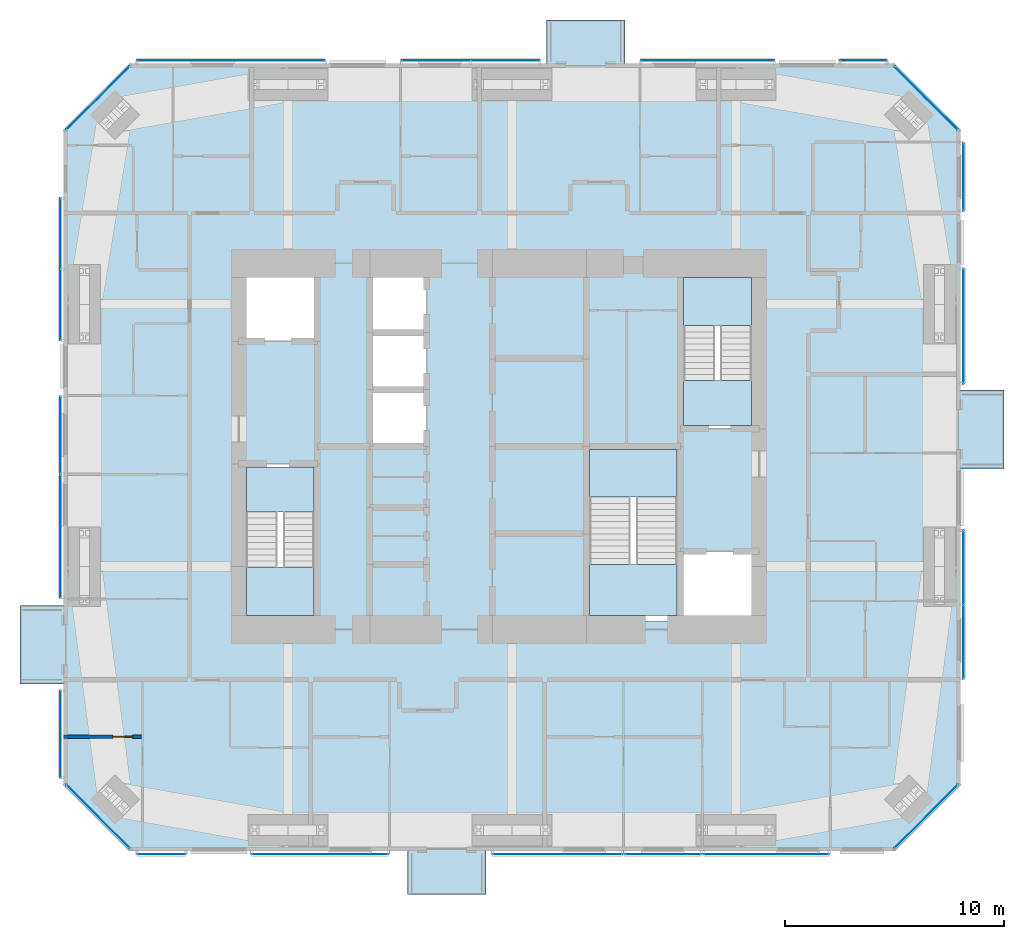
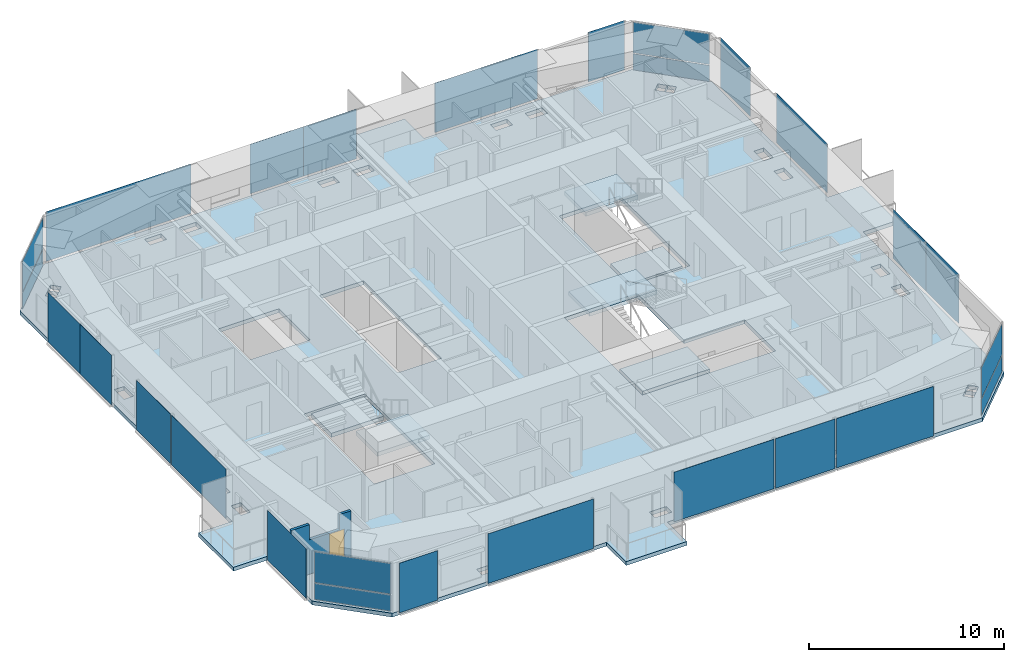
# One storey, part 15 of 23: 27 plates, 7 slabs, 1 door, 1 wall, 1 opening, 23 elements without a shape of their own.
"""IFC4 building model written with IfcOpenShell, lengths in metres."""

from ifc_helpers import new_model, si_unit, direction, frame, frame_2d, origin, origin_2d, place, context, subcontext, project, spatial, polyline, rectangle, outline, extrude, material, layer, layer_set, constituent, constituent_set, type_object, element, fill, aggregate, save


model = new_model("IFC4")

# Units and contexts
model_context = context("Model", 3, precision=1e-05, world=origin(), true_north=direction((0.0, 1.0)))
body_context = subcontext(model_context, "Body", "Model", "MODEL_VIEW")
ifc_project = project(units=[si_unit("LENGTHUNIT", "METRE"), si_unit("AREAUNIT", "SQUARE_METRE"), si_unit("VOLUMEUNIT", "CUBIC_METRE"), si_unit("PLANEANGLEUNIT", "RADIAN"), si_unit("MASSUNIT", "GRAM", prefix="KILO")], contexts=[model_context])

# Site, building, storey
site_placement = place(None, origin())
site = spatial("IfcSite", under=ifc_project, at=site_placement, CompositionType="ELEMENT")
building_placement = place(site_placement, origin())
building = spatial("IfcBuilding", under=site, at=building_placement, Name="Jalousie Tower", CompositionType="ELEMENT")
storey_placement = place(building_placement, frame((0.0, 0.0, 191.199951171875)))
storey = spatial("IfcBuildingStorey", under=building, at=storey_placement, Name="L52", CompositionType="ELEMENT", Elevation=191.199951171875)

# Curtain wall, plates
ifc_material_1 = material(Name="Aluminium curtain wall", Category="aluminium")
curtain_wall_type_1 = type_object("IfcCurtainWallType", Name="CORNER WINDOW WALL", PredefinedType="USERDEFINED", material=ifc_material_1)
curtain_wall_1_placement = place(storey_placement, origin())
curtain_wall_1 = element("IfcCurtainWall", 1, at=curtain_wall_1_placement, inside=storey, type_object=curtain_wall_type_1, Name="Corner Window Wall L52 2", ObjectType="CORNER WINDOW WALL", PredefinedType="USERDEFINED")
ifc_material_2 = material(Name="Laminated impact-rated spandrel glass", Category="glass")
ifc_layer_1 = layer(ifc_material_2, 0.028076171875)
ifc_layer_set_1 = layer_set([ifc_layer_1], Name="Laminated impact-rated spandrel glass")
plate_type_1 = type_object("IfcPlateType", Name="CORNER WINDOW WALL PANEL", PredefinedType="CURTAIN_PANEL", material=ifc_layer_set_1)
plate_1_placement = place(storey_placement, frame((51.4306640625, 1.5693359375, 0.06005859375), z_axis=(0.0, 0.0, 1.0), x_axis=(0.707106781187, 0.707106781187, 0.0)))
plate_1 = element("IfcPlate", 2, at=plate_1_placement, type_object=plate_type_1, Name="CW-C panel 1.1", PredefinedType="CURTAIN_PANEL", context=body_context, shape_type="SweptSolid", body=[
    extrude(rectangle(XDim=4.071533203125, YDim=0.028076171875, at=origin_2d()), origin(), (0.0, 0.0, 1.0), 1.010009765625),
])
plate_2_placement = place(storey_placement, frame((51.4306640625, 1.5693359375, 1.130126953125), z_axis=(0.0, 0.0, 1.0), x_axis=(0.707106781187, 0.707106781187, 0.0)))
plate_2 = element("IfcPlate", 3, at=plate_2_placement, type_object=plate_type_1, Name="CW-C panel 1.2", PredefinedType="CURTAIN_PANEL", context=body_context, shape_type="SweptSolid", body=[
    extrude(rectangle(XDim=4.071533203125, YDim=0.028076171875, at=origin_2d()), origin(), (0.0, 0.0, 1.0), 1.919921875),
])
aggregate(curtain_wall_1, [plate_1, plate_2])

curtain_wall_2_placement = place(storey_placement, origin())
curtain_wall_2 = element("IfcCurtainWall", 4, at=curtain_wall_2_placement, inside=storey, type_object=curtain_wall_type_1, Name="Corner Window Wall L52 4", ObjectType="CORNER WINDOW WALL", PredefinedType="USERDEFINED")
plate_3_placement = place(storey_placement, frame((51.4306640625, 34.4306640625, 0.06005859375), z_axis=(0.0, 0.0, 1.0), x_axis=(-0.707106781187, 0.707106781187, 0.0)))
plate_3 = element("IfcPlate", 5, at=plate_3_placement, type_object=plate_type_1, Name="CW-C panel 1.1", PredefinedType="CURTAIN_PANEL", context=body_context, shape_type="SweptSolid", body=[
    extrude(rectangle(XDim=4.071533203125, YDim=0.028076171875, at=origin_2d()), origin(), (0.0, 0.0, 1.0), 1.010009765625),
])
plate_4_placement = place(storey_placement, frame((51.4306640625, 34.4306640625, 1.130126953125), z_axis=(0.0, 0.0, 1.0), x_axis=(-0.707106781187, 0.707106781187, 0.0)))
plate_4 = element("IfcPlate", 6, at=plate_4_placement, type_object=plate_type_1, Name="CW-C panel 1.2", PredefinedType="CURTAIN_PANEL", context=body_context, shape_type="SweptSolid", body=[
    extrude(rectangle(XDim=4.071533203125, YDim=0.028076171875, at=origin_2d()), origin(), (0.0, 0.0, 1.0), 1.919921875),
])
aggregate(curtain_wall_2, [plate_3, plate_4])

curtain_wall_3_placement = place(storey_placement, origin())
curtain_wall_3 = element("IfcCurtainWall", 7, at=curtain_wall_3_placement, inside=storey, type_object=curtain_wall_type_1, Name="Corner Window Wall L52 6", ObjectType="CORNER WINDOW WALL", PredefinedType="USERDEFINED")
plate_5_placement = place(storey_placement, frame((13.5693359375, 34.4306640625, 0.06005859375), z_axis=(0.0, 0.0, 1.0), x_axis=(-0.707106781187, -0.707106781187, 0.0)))
plate_5 = element("IfcPlate", 8, at=plate_5_placement, type_object=plate_type_1, Name="CW-C panel 1.1", PredefinedType="CURTAIN_PANEL", context=body_context, shape_type="SweptSolid", body=[
    extrude(rectangle(XDim=4.071533203125, YDim=0.028076171875, at=origin_2d()), origin(), (0.0, 0.0, 1.0), 1.010009765625),
])
plate_6_placement = place(storey_placement, frame((13.5693359375, 34.4306640625, 1.130126953125), z_axis=(0.0, 0.0, 1.0), x_axis=(-0.707106781187, -0.707106781187, 0.0)))
plate_6 = element("IfcPlate", 9, at=plate_6_placement, type_object=plate_type_1, Name="CW-C panel 1.2", PredefinedType="CURTAIN_PANEL", context=body_context, shape_type="SweptSolid", body=[
    extrude(rectangle(XDim=4.071533203125, YDim=0.028076171875, at=origin_2d()), origin(), (0.0, 0.0, 1.0), 1.919921875),
])
aggregate(curtain_wall_3, [plate_5, plate_6])

curtain_wall_4_placement = place(storey_placement, origin())
curtain_wall_4 = element("IfcCurtainWall", 10, at=curtain_wall_4_placement, inside=storey, type_object=curtain_wall_type_1, Name="Corner Window Wall L52 8", ObjectType="CORNER WINDOW WALL", PredefinedType="USERDEFINED")
plate_7_placement = place(storey_placement, frame((13.5693359375, 1.5693359375, 0.06005859375), z_axis=(0.0, 0.0, 1.0), x_axis=(0.707106781187, -0.707106781187, 0.0)))
plate_7 = element("IfcPlate", 11, at=plate_7_placement, type_object=plate_type_1, Name="CW-C panel 1.1", PredefinedType="CURTAIN_PANEL", context=body_context, shape_type="SweptSolid", body=[
    extrude(rectangle(XDim=4.071533203125, YDim=0.028076171875, at=origin_2d()), origin(), (0.0, 0.0, 1.0), 1.010009765625),
])
plate_8_placement = place(storey_placement, frame((13.5693359375, 1.5693359375, 1.130126953125), z_axis=(0.0, 0.0, 1.0), x_axis=(0.707106781187, -0.707106781187, 0.0)))
plate_8 = element("IfcPlate", 12, at=plate_8_placement, type_object=plate_type_1, Name="CW-C panel 1.2", PredefinedType="CURTAIN_PANEL", context=body_context, shape_type="SweptSolid", body=[
    extrude(rectangle(XDim=4.071533203125, YDim=0.028076171875, at=origin_2d()), origin(), (0.0, 0.0, 1.0), 1.919921875),
])
aggregate(curtain_wall_4, [plate_7, plate_8])

# Slab
ifc_material_3 = material(Name="Concrete f'c 40 MPa", Category="concrete")
ifc_layer_2 = layer(ifc_material_3, 0.239990234375)
ifc_layer_set_2 = layer_set([ifc_layer_2], Name="Concrete f'c 40 MPa")
slab_type_1 = type_object("IfcSlabType", Name="FLOOR SLAB 240", PredefinedType="FLOOR", material=ifc_layer_set_2)
slab_1_placement = place(storey_placement, frame((0.0, 0.0, -0.239990234375)))
element("IfcSlab", 13, at=slab_1_placement, inside=storey, type_object=slab_type_1, Name="L52 floor slab", PredefinedType="FLOOR", context=body_context, shape_type="SweptSolid", body=[
    extrude(outline(polyline([(34.074951171875, 36.0), (34.074951171875, 38.0), (37.675048828125, 38.0), (37.675048828125, 36.0), (50.0, 36.0), (53.0, 33.0), (53.0, 21.074951171875), (55.0, 21.074951171875), (55.0, 17.47509765625), (53.0, 17.47509765625), (53.0, 3.0), (50.0, 0.0), (31.3125, 0.0), (31.3125, -2.0), (27.71240234375, -2.0), (27.71240234375, 0.0), (15.0, 0.0), (12.0, 3.0), (12.0, 7.625), (10.0, 7.625), (10.0, 11.22509765625), (12.0, 11.22509765625), (12.0, 33.0), (15.0, 36.0), (34.074951171875, 36.0)]), holes=[polyline([(52.336181640625, 25.54150390625), (52.336181640625, 26.52490234375), (51.763916015625, 26.52490234375), (51.763916015625, 25.54150390625), (52.336181640625, 25.54150390625)]), polyline([(51.763916015625, 23.47509765625), (52.336181640625, 23.47509765625), (52.336181640625, 24.45849609375), (51.763916015625, 24.45849609375), (51.763916015625, 23.47509765625)]), polyline([(51.763916015625, 13.54150390625), (52.336181640625, 13.54150390625), (52.336181640625, 14.52490234375), (51.763916015625, 14.52490234375), (51.763916015625, 13.54150390625)]), polyline([(51.763916015625, 11.47509765625), (52.336181640625, 11.47509765625), (52.336181640625, 12.45849609375), (51.763916015625, 12.45849609375), (51.763916015625, 11.47509765625)]), polyline([(50.856689453125, 33.851318359375), (50.451904296875, 33.446533203125), (50.802490234375, 33.095703125), (51.20751953125, 33.500244140625), (50.856689453125, 33.851318359375)]), polyline([(50.802490234375, 2.904296875), (50.451904296875, 2.553466796875), (50.856689453125, 2.148681640625), (51.20751953125, 2.499755859375), (50.802490234375, 2.904296875)]), polyline([(50.446533203125, 33.451904296875), (50.851318359375, 33.856689453125), (50.500244140625, 34.20751953125), (50.095703125, 33.802490234375), (50.446533203125, 33.451904296875)]), polyline([(50.095703125, 2.197509765625), (50.500244140625, 1.79248046875), (50.851318359375, 2.143310546875), (50.446533203125, 2.548095703125), (50.095703125, 2.197509765625)]), polyline([(44.27490234375, 35.336181640625), (43.29150390625, 35.336181640625), (43.29150390625, 34.763916015625), (44.27490234375, 34.763916015625), (44.27490234375, 35.336181640625)]), polyline([(44.27490234375, 1.236083984375), (43.29150390625, 1.236083984375), (43.29150390625, 0.663818359375), (44.27490234375, 0.663818359375), (44.27490234375, 1.236083984375)]), polyline([(40.199951171875, 19.300048828125), (43.800048828125, 19.300048828125), (43.800048828125, 26.5), (40.199951171875, 26.5), (40.199951171875, 19.300048828125)]), polyline([(35.89990234375, 18.5), (35.89990234375, 10.5), (43.800048828125, 10.5), (43.800048828125, 13.699951171875), (40.199951171875, 13.699951171875), (40.199951171875, 18.5), (35.89990234375, 18.5)]), polyline([(42.20849609375, 34.763916015625), (42.20849609375, 35.336181640625), (41.22509765625, 35.336181640625), (41.22509765625, 34.763916015625), (42.20849609375, 34.763916015625)]), polyline([(41.22509765625, 0.663818359375), (42.20849609375, 0.663818359375), (42.20849609375, 1.236083984375), (41.22509765625, 1.236083984375), (41.22509765625, 0.663818359375)]), polyline([(33.04150390625, 35.336181640625), (33.04150390625, 34.763916015625), (34.02490234375, 34.763916015625), (34.02490234375, 35.336181640625), (33.04150390625, 35.336181640625)]), polyline([(33.04150390625, 1.236083984375), (33.04150390625, 0.663818359375), (34.02490234375, 0.663818359375), (34.02490234375, 1.236083984375), (33.04150390625, 1.236083984375)]), polyline([(31.95849609375, 34.763916015625), (31.95849609375, 35.336181640625), (30.97509765625, 35.336181640625), (30.97509765625, 34.763916015625), (31.95849609375, 34.763916015625)]), polyline([(31.95849609375, 0.663818359375), (31.95849609375, 1.236083984375), (30.97509765625, 1.236083984375), (30.97509765625, 0.663818359375), (31.95849609375, 0.663818359375)]), polyline([(28.60009765625, 18.5), (28.60009765625, 26.5), (26.0, 26.5), (26.0, 18.5), (28.60009765625, 18.5)]), polyline([(22.79150390625, 1.236083984375), (22.79150390625, 0.663818359375), (23.77490234375, 0.663818359375), (23.77490234375, 1.236083984375), (22.79150390625, 1.236083984375)]), polyline([(23.77490234375, 34.763916015625), (23.77490234375, 35.336181640625), (22.79150390625, 35.336181640625), (22.79150390625, 34.763916015625), (23.77490234375, 34.763916015625)]), polyline([(20.0, 23.300048828125), (23.60009765625, 23.300048828125), (23.60009765625, 26.5), (20.0, 26.5), (20.0, 23.300048828125)]), polyline([(20.0, 10.5), (23.60009765625, 10.5), (23.60009765625, 17.699951171875), (20.0, 17.699951171875), (20.0, 10.5)]), polyline([(20.72509765625, 35.336181640625), (20.72509765625, 34.763916015625), (21.70849609375, 34.763916015625), (21.70849609375, 35.336181640625), (20.72509765625, 35.336181640625)]), polyline([(20.72509765625, 1.236083984375), (20.72509765625, 0.663818359375), (21.70849609375, 0.663818359375), (21.70849609375, 1.236083984375), (20.72509765625, 1.236083984375)]), polyline([(14.553466796875, 2.548095703125), (14.148681640625, 2.143310546875), (14.499755859375, 1.79248046875), (14.904296875, 2.197509765625), (14.553466796875, 2.548095703125)]), polyline([(14.148681640625, 33.856689453125), (14.553466796875, 33.451904296875), (14.904296875, 33.802490234375), (14.499755859375, 34.20751953125), (14.148681640625, 33.856689453125)]), polyline([(14.143310546875, 33.851318359375), (13.79248046875, 33.500244140625), (14.197509765625, 33.095703125), (14.548095703125, 33.446533203125), (14.143310546875, 33.851318359375)]), polyline([(14.548095703125, 2.553466796875), (14.197509765625, 2.904296875), (13.79248046875, 2.499755859375), (14.143310546875, 2.148681640625), (14.548095703125, 2.553466796875)]), polyline([(12.663818359375, 11.47509765625), (13.236083984375, 11.47509765625), (13.236083984375, 12.45849609375), (12.663818359375, 12.45849609375), (12.663818359375, 11.47509765625)]), polyline([(13.236083984375, 24.45849609375), (12.663818359375, 24.45849609375), (12.663818359375, 23.47509765625), (13.236083984375, 23.47509765625), (13.236083984375, 24.45849609375)]), polyline([(12.663818359375, 25.54150390625), (13.236083984375, 25.54150390625), (13.236083984375, 26.52490234375), (12.663818359375, 26.52490234375), (12.663818359375, 25.54150390625)]), polyline([(13.236083984375, 13.54150390625), (13.236083984375, 14.52490234375), (12.663818359375, 14.52490234375), (12.663818359375, 13.54150390625), (13.236083984375, 13.54150390625)])]), origin(), (0.0, 0.0, 1.0), 0.239990234375),
])

# Curtain wall, plate
ifc_material_4 = material(Name="Perforated aluminium sheet", Category="aluminium")
curtain_wall_type_2 = type_object("IfcCurtainWallType", Name="SOLAR SCREEN SS-1", PredefinedType="USERDEFINED", material=ifc_material_4)
curtain_wall_5_placement = place(storey_placement, origin())
curtain_wall_5 = element("IfcCurtainWall", 14, at=curtain_wall_5_placement, inside=storey, type_object=curtain_wall_type_2, Name="Solar screen L52", ObjectType="SOLAR SCREEN SS-1", PredefinedType="USERDEFINED")
ifc_material_5 = material(Name="Perforated aluminium sheet", Category="aluminium")
ifc_layer_3 = layer(ifc_material_5, 0.006103515625)
ifc_layer_set_3 = layer_set([ifc_layer_3], Name="Perforated aluminium sheet")
plate_type_2 = type_object("IfcPlateType", Name="SOLAR SCREEN SS-1 PANEL", PredefinedType="CURTAIN_PANEL", material=ifc_layer_set_3)
plate_9_placement = place(storey_placement, frame((16.47119140625, -0.150390625, 0.0), z_axis=(0.0, 0.0, 1.0), x_axis=(1.0, 0.0, 0.0)))
plate_9 = element("IfcPlate", 15, at=plate_9_placement, type_object=plate_type_2, Name="SS1 perforated panel 1", PredefinedType="CURTAIN_PANEL", context=body_context, shape_type="SweptSolid", body=[
    extrude(rectangle(XDim=2.239990234375, YDim=0.006103515625, at=origin_2d()), origin(), (0.0, 0.0, 1.0), 3.110107421875),
])
aggregate(curtain_wall_5, [plate_9])

curtain_wall_6_placement = place(storey_placement, origin())
curtain_wall_6 = element("IfcCurtainWall", 16, at=curtain_wall_6_placement, inside=storey, type_object=curtain_wall_type_2, Name="Solar screen L52", ObjectType="SOLAR SCREEN SS-1", PredefinedType="USERDEFINED")
plate_10_placement = place(storey_placement, frame((23.720703125, -0.150390625, 0.0), z_axis=(0.0, 0.0, 1.0), x_axis=(1.0, 0.0, 0.0)))
plate_10 = element("IfcPlate", 17, at=plate_10_placement, type_object=plate_type_2, Name="SS1 perforated panel 1", PredefinedType="CURTAIN_PANEL", context=body_context, shape_type="SweptSolid", body=[
    extrude(rectangle(XDim=6.2587890625, YDim=0.006103515625, at=origin_2d()), origin(), (0.0, 0.0, 1.0), 3.110107421875),
])
aggregate(curtain_wall_6, [plate_10])

curtain_wall_7_placement = place(storey_placement, origin())
curtain_wall_7 = element("IfcCurtainWall", 18, at=curtain_wall_7_placement, inside=storey, type_object=curtain_wall_type_2, Name="Solar screen L52", ObjectType="SOLAR SCREEN SS-1", PredefinedType="USERDEFINED")
plate_11_placement = place(storey_placement, frame((34.581298828125, -0.150390625, 0.0), z_axis=(0.0, 0.0, 1.0), x_axis=(1.0, 0.0, 0.0)))
plate_11 = element("IfcPlate", 19, at=plate_11_placement, type_object=plate_type_2, Name="SS1 perforated panel 1", PredefinedType="CURTAIN_PANEL", context=body_context, shape_type="SweptSolid", body=[
    extrude(rectangle(XDim=5.9375, YDim=0.006103515625, at=origin_2d()), origin(), (0.0, 0.0, 1.0), 3.110107421875),
])
aggregate(curtain_wall_7, [plate_11])

curtain_wall_8_placement = place(storey_placement, origin())
curtain_wall_8 = element("IfcCurtainWall", 20, at=curtain_wall_8_placement, inside=storey, type_object=curtain_wall_type_2, Name="Solar screen L52", ObjectType="SOLAR SCREEN SS-1", PredefinedType="USERDEFINED")
plate_12_placement = place(storey_placement, frame((39.39990234375, -0.150390625, 0.0), z_axis=(0.0, 0.0, 1.0), x_axis=(1.0, 0.0, 0.0)))
plate_12 = element("IfcPlate", 21, at=plate_12_placement, type_object=plate_type_2, Name="SS1 perforated panel 1", PredefinedType="CURTAIN_PANEL", context=body_context, shape_type="SweptSolid", body=[
    extrude(rectangle(XDim=3.5, YDim=0.006103515625, at=origin_2d()), origin(), (0.0, 0.0, 1.0), 3.110107421875),
])
aggregate(curtain_wall_8, [plate_12])

curtain_wall_9_placement = place(storey_placement, origin())
curtain_wall_9 = element("IfcCurtainWall", 22, at=curtain_wall_9_placement, inside=storey, type_object=curtain_wall_type_2, Name="Solar screen L52", ObjectType="SOLAR SCREEN SS-1", PredefinedType="USERDEFINED")
plate_13_placement = place(storey_placement, frame((44.125, -0.150390625, 0.0), z_axis=(0.0, 0.0, 1.0), x_axis=(1.0, 0.0, 0.0)))
plate_13 = element("IfcPlate", 23, at=plate_13_placement, type_object=plate_type_2, Name="SS1 perforated panel 1", PredefinedType="CURTAIN_PANEL", context=body_context, shape_type="SweptSolid", body=[
    extrude(rectangle(XDim=5.75, YDim=0.006103515625, at=origin_2d()), origin(), (0.0, 0.0, 1.0), 3.110107421875),
])
aggregate(curtain_wall_9, [plate_13])

# Curtain wall, plates
curtain_wall_10_placement = place(storey_placement, origin())
curtain_wall_10 = element("IfcCurtainWall", 24, at=curtain_wall_10_placement, inside=storey, type_object=curtain_wall_type_2, Name="Solar screen L52", ObjectType="SOLAR SCREEN SS-1", PredefinedType="USERDEFINED")
plate_14_placement = place(storey_placement, frame((53.150390625, 9.569580078125, 0.0), z_axis=(0.0, 0.0, 1.0), x_axis=(0.0, 1.0, 0.0)))
plate_14 = element("IfcPlate", 25, at=plate_14_placement, type_object=plate_type_2, Name="SS1 perforated panel 1", PredefinedType="CURTAIN_PANEL", context=body_context, shape_type="SweptSolid", body=[
    extrude(rectangle(XDim=3.38916015625, YDim=0.006103515625, at=origin_2d()), origin(), (0.0, 0.0, 1.0), 3.110107421875),
])
plate_15_placement = place(storey_placement, frame((53.150390625, 12.958740234375, 0.0), z_axis=(0.0, 0.0, 1.0), x_axis=(0.0, 1.0, 0.0)))
plate_15 = element("IfcPlate", 26, at=plate_15_placement, type_object=plate_type_2, Name="SS1 perforated panel 2", PredefinedType="CURTAIN_PANEL", context=body_context, shape_type="SweptSolid", body=[
    extrude(rectangle(XDim=3.38916015625, YDim=0.006103515625, at=origin_2d()), origin(), (0.0, 0.0, 1.0), 3.110107421875),
])
aggregate(curtain_wall_10, [plate_14, plate_15])

# Curtain wall, plate
curtain_wall_11_placement = place(storey_placement, origin())
curtain_wall_11 = element("IfcCurtainWall", 27, at=curtain_wall_11_placement, inside=storey, type_object=curtain_wall_type_2, Name="Solar screen L52", ObjectType="SOLAR SCREEN SS-1", PredefinedType="USERDEFINED")
plate_16_placement = place(storey_placement, frame((53.150390625, 24.0, 0.0), z_axis=(0.0, 0.0, 1.0), x_axis=(0.0, 1.0, 0.0)))
plate_16 = element("IfcPlate", 28, at=plate_16_placement, type_object=plate_type_2, Name="SS1 perforated panel 1", PredefinedType="CURTAIN_PANEL", context=body_context, shape_type="SweptSolid", body=[
    extrude(rectangle(XDim=5.25, YDim=0.006103515625, at=origin_2d()), origin(), (0.0, 0.0, 1.0), 3.110107421875),
])
aggregate(curtain_wall_11, [plate_16])

curtain_wall_12_placement = place(storey_placement, origin())
curtain_wall_12 = element("IfcCurtainWall", 29, at=curtain_wall_12_placement, inside=storey, type_object=curtain_wall_type_2, Name="Solar screen L52", ObjectType="SOLAR SCREEN SS-1", PredefinedType="USERDEFINED")
plate_17_placement = place(storey_placement, frame((53.150390625, 30.822509765625, 0.0), z_axis=(0.0, 0.0, 1.0), x_axis=(0.0, 1.0, 0.0)))
plate_17 = element("IfcPlate", 30, at=plate_17_placement, type_object=plate_type_2, Name="SS1 perforated panel 1", PredefinedType="CURTAIN_PANEL", context=body_context, shape_type="SweptSolid", body=[
    extrude(rectangle(XDim=3.09521484375, YDim=0.006103515625, at=origin_2d()), origin(), (0.0, 0.0, 1.0), 3.110107421875),
])
aggregate(curtain_wall_12, [plate_17])

curtain_wall_13_placement = place(storey_placement, origin())
curtain_wall_13 = element("IfcCurtainWall", 31, at=curtain_wall_13_placement, inside=storey, type_object=curtain_wall_type_2, Name="Solar screen L52", ObjectType="SOLAR SCREEN SS-1", PredefinedType="USERDEFINED")
plate_18_placement = place(storey_placement, frame((48.573974609375, 36.150390625, 0.0), z_axis=(0.0, 0.0, 1.0), x_axis=(-1.0, 0.0, 0.0)))
plate_18 = element("IfcPlate", 32, at=plate_18_placement, type_object=plate_type_2, Name="SS1 perforated panel 1", PredefinedType="CURTAIN_PANEL", context=body_context, shape_type="SweptSolid", body=[
    extrude(rectangle(XDim=2.1494140625, YDim=0.006103515625, at=origin_2d()), origin(), (0.0, 0.0, 1.0), 3.110107421875),
])
aggregate(curtain_wall_13, [plate_18])

curtain_wall_14_placement = place(storey_placement, origin())
curtain_wall_14 = element("IfcCurtainWall", 33, at=curtain_wall_14_placement, inside=storey, type_object=curtain_wall_type_2, Name="Solar screen L52", ObjectType="SOLAR SCREEN SS-1", PredefinedType="USERDEFINED")
plate_19_placement = place(storey_placement, frame((41.44970703125, 36.150390625, 0.0), z_axis=(0.0, 0.0, 1.0), x_axis=(-1.0, 0.0, 0.0)))
plate_19 = element("IfcPlate", 34, at=plate_19_placement, type_object=plate_type_2, Name="SS1 perforated panel 1", PredefinedType="CURTAIN_PANEL", context=body_context, shape_type="SweptSolid", body=[
    extrude(rectangle(XDim=6.099365234375, YDim=0.006103515625, at=origin_2d()), origin(), (0.0, 0.0, 1.0), 3.110107421875),
])
aggregate(curtain_wall_14, [plate_19])

# Curtain wall, plates
curtain_wall_15_placement = place(storey_placement, origin())
curtain_wall_15 = element("IfcCurtainWall", 35, at=curtain_wall_15_placement, inside=storey, type_object=curtain_wall_type_2, Name="Solar screen L52", ObjectType="SOLAR SCREEN SS-1", PredefinedType="USERDEFINED")
plate_20_placement = place(storey_placement, frame((32.19384765625, 36.150390625, 0.0), z_axis=(0.0, 0.0, 1.0), x_axis=(-1.0, 0.0, 0.0)))
plate_20 = element("IfcPlate", 36, at=plate_20_placement, type_object=plate_type_2, Name="SS1 perforated panel 1", PredefinedType="CURTAIN_PANEL", context=body_context, shape_type="SweptSolid", body=[
    extrude(rectangle(XDim=3.16259765625, YDim=0.006103515625, at=origin_2d()), origin(), (0.0, 0.0, 1.0), 3.110107421875),
])
plate_21_placement = place(storey_placement, frame((29.03125, 36.150390625, 0.0), z_axis=(0.0, 0.0, 1.0), x_axis=(-1.0, 0.0, 0.0)))
plate_21 = element("IfcPlate", 37, at=plate_21_placement, type_object=plate_type_2, Name="SS1 perforated panel 2", PredefinedType="CURTAIN_PANEL", context=body_context, shape_type="SweptSolid", body=[
    extrude(rectangle(XDim=3.16259765625, YDim=0.006103515625, at=origin_2d()), origin(), (0.0, 0.0, 1.0), 3.110107421875),
])
aggregate(curtain_wall_15, [plate_20, plate_21])

# Curtain wall, plate
curtain_wall_16_placement = place(storey_placement, origin())
curtain_wall_16 = element("IfcCurtainWall", 38, at=curtain_wall_16_placement, inside=storey, type_object=curtain_wall_type_2, Name="Solar screen L52", ObjectType="SOLAR SCREEN SS-1", PredefinedType="USERDEFINED")
plate_22_placement = place(storey_placement, frame((19.648193359375, 36.150390625, 0.0), z_axis=(0.0, 0.0, 1.0), x_axis=(-1.0, 0.0, 0.0)))
plate_22 = element("IfcPlate", 39, at=plate_22_placement, type_object=plate_type_2, Name="SS1 perforated panel 1", PredefinedType="CURTAIN_PANEL", context=body_context, shape_type="SweptSolid", body=[
    extrude(rectangle(XDim=8.59375, YDim=0.006103515625, at=origin_2d()), origin(), (0.0, 0.0, 1.0), 3.110107421875),
])
aggregate(curtain_wall_16, [plate_22])

# Curtain wall, plates
curtain_wall_17_placement = place(storey_placement, origin())
curtain_wall_17 = element("IfcCurtainWall", 40, at=curtain_wall_17_placement, inside=storey, type_object=curtain_wall_type_2, Name="Solar screen L52", ObjectType="SOLAR SCREEN SS-1", PredefinedType="USERDEFINED")
plate_23_placement = place(storey_placement, frame((11.849609375, 28.22509765625, 0.0), z_axis=(0.0, 0.0, 1.0), x_axis=(0.0, -1.0, 0.0)))
plate_23 = element("IfcPlate", 41, at=plate_23_placement, type_object=plate_type_2, Name="SS1 perforated panel 1", PredefinedType="CURTAIN_PANEL", context=body_context, shape_type="SweptSolid", body=[
    extrude(rectangle(XDim=3.25, YDim=0.006103515625, at=origin_2d()), origin(), (0.0, 0.0, 1.0), 3.110107421875),
])
plate_24_placement = place(storey_placement, frame((11.849609375, 24.97509765625, 0.0), z_axis=(0.0, 0.0, 1.0), x_axis=(0.0, -1.0, 0.0)))
plate_24 = element("IfcPlate", 42, at=plate_24_placement, type_object=plate_type_2, Name="SS1 perforated panel 2", PredefinedType="CURTAIN_PANEL", context=body_context, shape_type="SweptSolid", body=[
    extrude(rectangle(XDim=3.25, YDim=0.006103515625, at=origin_2d()), origin(), (0.0, 0.0, 1.0), 3.110107421875),
])
aggregate(curtain_wall_17, [plate_23, plate_24])

# Curtain wall, plate
curtain_wall_18_placement = place(storey_placement, origin())
curtain_wall_18 = element("IfcCurtainWall", 43, at=curtain_wall_18_placement, inside=storey, type_object=curtain_wall_type_2, Name="Solar screen L52", ObjectType="SOLAR SCREEN SS-1", PredefinedType="USERDEFINED")
plate_25_placement = place(storey_placement, frame((11.849609375, 19.02490234375, 0.0), z_axis=(0.0, 0.0, 1.0), x_axis=(0.0, -1.0, 0.0)))
plate_25 = element("IfcPlate", 44, at=plate_25_placement, type_object=plate_type_2, Name="SS1 perforated panel 1", PredefinedType="CURTAIN_PANEL", context=body_context, shape_type="SweptSolid", body=[
    extrude(rectangle(XDim=3.5, YDim=0.006103515625, at=origin_2d()), origin(), (0.0, 0.0, 1.0), 3.110107421875),
])
aggregate(curtain_wall_18, [plate_25])

curtain_wall_19_placement = place(storey_placement, origin())
curtain_wall_19 = element("IfcCurtainWall", 45, at=curtain_wall_19_placement, inside=storey, type_object=curtain_wall_type_2, Name="Solar screen L52", ObjectType="SOLAR SCREEN SS-1", PredefinedType="USERDEFINED")
plate_26_placement = place(storey_placement, frame((11.849609375, 14.375, 0.0), z_axis=(0.0, 0.0, 1.0), x_axis=(0.0, -1.0, 0.0)))
plate_26 = element("IfcPlate", 46, at=plate_26_placement, type_object=plate_type_2, Name="SS1 perforated panel 1", PredefinedType="CURTAIN_PANEL", context=body_context, shape_type="SweptSolid", body=[
    extrude(rectangle(XDim=5.60009765625, YDim=0.006103515625, at=origin_2d()), origin(), (0.0, 0.0, 1.0), 3.110107421875),
])
aggregate(curtain_wall_19, [plate_26])

curtain_wall_20_placement = place(storey_placement, origin())
curtain_wall_20 = element("IfcCurtainWall", 47, at=curtain_wall_20_placement, inside=storey, type_object=curtain_wall_type_2, Name="Solar screen L52", ObjectType="SOLAR SCREEN SS-1", PredefinedType="USERDEFINED")
plate_27_placement = place(storey_placement, frame((11.849609375, 5.338134765625, 0.0), z_axis=(0.0, 0.0, 1.0), x_axis=(0.0, -1.0, 0.0)))
plate_27 = element("IfcPlate", 48, at=plate_27_placement, type_object=plate_type_2, Name="SS1 perforated panel 1", PredefinedType="CURTAIN_PANEL", context=body_context, shape_type="SweptSolid", body=[
    extrude(rectangle(XDim=3.9736328125, YDim=0.006103515625, at=origin_2d()), origin(), (0.0, 0.0, 1.0), 3.110107421875),
])
aggregate(curtain_wall_20, [plate_27])

# Stair, slabs
ifc_material_6 = material(Name="Concrete f'c 40 MPa", Category="concrete")
stair_type = type_object("IfcStairType", Name="EXIT STAIR", PredefinedType="HALF_TURN_STAIR", material=ifc_material_6)
stair_1_placement = place(storey_placement, origin())
stair_1 = element("IfcStair", 49, at=stair_1_placement, inside=storey, type_object=stair_type, Name="Exit stair A L52", PredefinedType="HALF_TURN_STAIR")
ifc_material_7 = material(Name="Concrete f'c 40 MPa", Category="concrete")
ifc_layer_4 = layer(ifc_material_7, 0.25)
ifc_layer_set_4 = layer_set([ifc_layer_4], Name="Concrete f'c 40 MPa")
slab_type_2 = type_object("IfcSlabType", Name="STAIR LANDING 250", PredefinedType="LANDING", material=ifc_layer_set_4)
slab_2_placement = place(storey_placement, frame((0.0, 0.0, -0.25)))
slab_2 = element("IfcSlab", 50, at=slab_2_placement, type_object=slab_type_2, Name="ST-A landing 1", PredefinedType="LANDING", context=body_context, shape_type="SweptSolid", body=[
    extrude(outline(polyline([(20.35009765625, 15.49755859375), (23.449951171875, 15.49755859375), (23.449951171875, 17.550048828125), (20.35009765625, 17.550048828125), (20.35009765625, 15.49755859375)])), origin(), (0.0, 0.0, 1.0), 0.25),
])
slab_3_placement = place(storey_placement, frame((0.0, 0.0, 1.425048828125)))
slab_3 = element("IfcSlab", 51, at=slab_3_placement, type_object=slab_type_2, Name="ST-A landing 2", PredefinedType="LANDING", context=body_context, shape_type="SweptSolid", body=[
    extrude(outline(polyline([(20.35009765625, 10.77490234375), (23.449951171875, 10.77490234375), (23.449951171875, 12.9775390625), (20.35009765625, 12.9775390625), (20.35009765625, 10.77490234375)])), origin(), (0.0, 0.0, 1.0), 0.25),
])
aggregate(stair_1, [slab_2, slab_3])

stair_2_placement = place(storey_placement, origin())
stair_2 = element("IfcStair", 52, at=stair_2_placement, inside=storey, type_object=stair_type, Name="Exit stair B L52", PredefinedType="HALF_TURN_STAIR")
slab_4_placement = place(storey_placement, frame((0.0, 0.0, -0.25)))
slab_4 = element("IfcSlab", 53, at=slab_4_placement, type_object=slab_type_2, Name="ST-B landing 1", PredefinedType="LANDING", context=body_context, shape_type="SweptSolid", body=[
    extrude(outline(polyline([(40.35009765625, 19.449951171875), (43.449951171875, 19.449951171875), (43.449951171875, 21.50244140625), (40.35009765625, 21.50244140625), (40.35009765625, 19.449951171875)])), origin(), (0.0, 0.0, 1.0), 0.25),
])
slab_5_placement = place(storey_placement, frame((0.0, 0.0, 1.425048828125)))
slab_5 = element("IfcSlab", 54, at=slab_5_placement, type_object=slab_type_2, Name="ST-B landing 2", PredefinedType="LANDING", context=body_context, shape_type="SweptSolid", body=[
    extrude(outline(polyline([(40.35009765625, 24.0224609375), (43.449951171875, 24.0224609375), (43.449951171875, 26.22509765625), (40.35009765625, 26.22509765625), (40.35009765625, 24.0224609375)])), origin(), (0.0, 0.0, 1.0), 0.25),
])
aggregate(stair_2, [slab_4, slab_5])

stair_3_placement = place(storey_placement, origin())
stair_3 = element("IfcStair", 55, at=stair_3_placement, inside=storey, type_object=stair_type, Name="Exit stair C L52", PredefinedType="HALF_TURN_STAIR")
slab_6_placement = place(storey_placement, frame((0.0, 0.0, -0.25)))
slab_6 = element("IfcSlab", 56, at=slab_6_placement, type_object=slab_type_2, Name="ST-C landing 1", PredefinedType="LANDING", context=body_context, shape_type="SweptSolid", body=[
    extrude(outline(polyline([(36.050048828125, 10.77490234375), (40.050048828125, 10.77490234375), (40.050048828125, 13.097412109375), (36.050048828125, 13.097412109375), (36.050048828125, 10.77490234375)])), origin(), (0.0, 0.0, 1.0), 0.25),
])
slab_7_placement = place(storey_placement, frame((0.0, 0.0, 1.425048828125)))
slab_7 = element("IfcSlab", 57, at=slab_7_placement, type_object=slab_type_2, Name="ST-C landing 2", PredefinedType="LANDING", context=body_context, shape_type="SweptSolid", body=[
    extrude(outline(polyline([(36.050048828125, 16.177490234375), (40.050048828125, 16.177490234375), (40.050048828125, 18.35009765625), (36.050048828125, 18.35009765625), (36.050048828125, 16.177490234375)])), origin(), (0.0, 0.0, 1.0), 0.25),
])
aggregate(stair_3, [slab_6, slab_7])

# Wall, opening, door
ifc_material_8 = material(Name="Concrete block ASTM C90", Category="concrete")
ifc_constituent_1 = constituent(ifc_material_8, Name="Body")
ifc_material_9 = material(Name="Render")
ifc_constituent_2 = constituent(ifc_material_9, Name="Finish")
ifc_constituent_set = constituent_set(constituents=[ifc_constituent_1, ifc_constituent_2])
wall_type = type_object("IfcWallType", Name="BATHROOM WALL 150", PredefinedType="PLUMBINGWALL", material=ifc_constituent_set)
wall_placement = place(storey_placement, frame((12.0, 5.22509765625, 0.0), z_axis=(0.0, 0.0, 1.0), x_axis=(1.0, 0.0, 0.0)))
wall = element("IfcWall", 58, at=wall_placement, inside=storey, type_object=wall_type, Name="Bathroom Wall 150 L52", PredefinedType="PLUMBINGWALL", context=body_context, shape_type="SweptSolid", body=[
    extrude(outline(polyline([(0.0, 0.0), (3.550048828125, 0.0), (3.550048828125, 3.110107421875), (2.86328125, 3.110107421875), (2.86328125, 2.150146484375), (1.078125, 2.150146484375), (1.078125, 3.110107421875), (0.0, 3.110107421875), (0.0, 0.0)])), frame((0.0, 0.074951171875, 0.0), z_axis=(0.0, -1.0, 0.0), x_axis=(1.0, 0.0, 0.0)), (0.0, 0.0, 1.0), 0.14990234375),
])
opening_placement = place(wall_placement, frame((2.25, 0.0, 0.0)))
opening = element("IfcOpeningElement", 59, at=opening_placement, cuts=wall, Name="Opening D3", PredefinedType="OPENING", context=body_context, shape_type="SweptSolid", body=[
    extrude(rectangle(XDim=0.89990234375, YDim=2.10009765625, at=frame_2d((0.449951171875, 1.050048828125))), frame((0.0, 0.0849609375, 0.0), z_axis=(0.0, -1.0, 0.0), x_axis=(1.0, 0.0, 0.0)), (0.0, 0.0, 1.0), 0.169921875),
])
ifc_material_10 = material(Name="Timber door", Category="wood")
door_type = type_object("IfcDoorType", Name="BATHROOM DOOR 900", OperationType="SINGLE_SWING_LEFT", PredefinedType="DOOR", material=ifc_material_10)
door_placement = place(opening_placement, origin())
door = element("IfcDoor", 60, at=door_placement, inside=storey, type_object=door_type, Name="Apartment 5201 bedroom 1 bathroom door", OperationType="SINGLE_SWING_RIGHT", OverallHeight=2.10009765625, OverallWidth=0.89990234375, PredefinedType="DOOR", context=body_context, shape_type="SweptSolid", body=[
    extrude(rectangle(XDim=0.89990234375, YDim=2.10009765625, at=frame_2d((0.449951171875, 1.050048828125))), frame((0.0, 0.02490234375, 0.0), z_axis=(0.0, -1.0, 0.0), x_axis=(1.0, 0.0, 0.0)), (0.0, 0.0, 1.0), 0.050048828125),
])
fill(opening, door)

save(model, "model.ifc")
